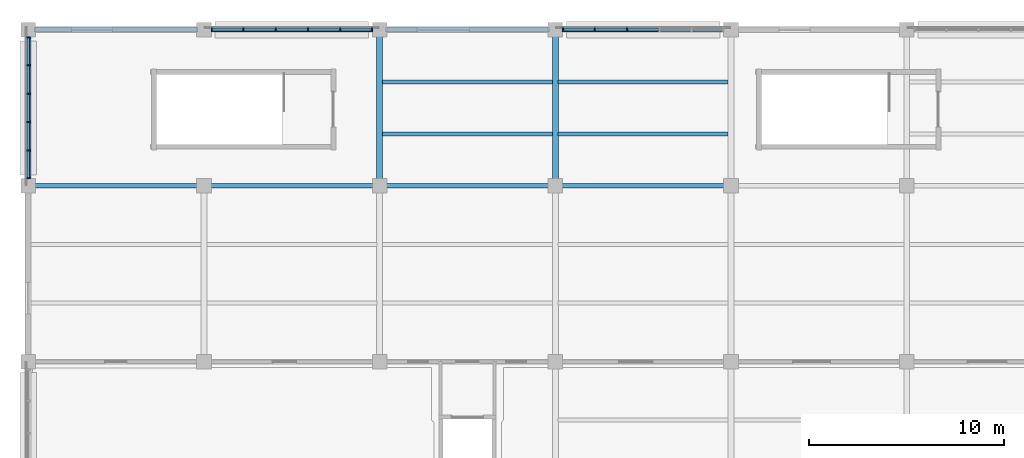
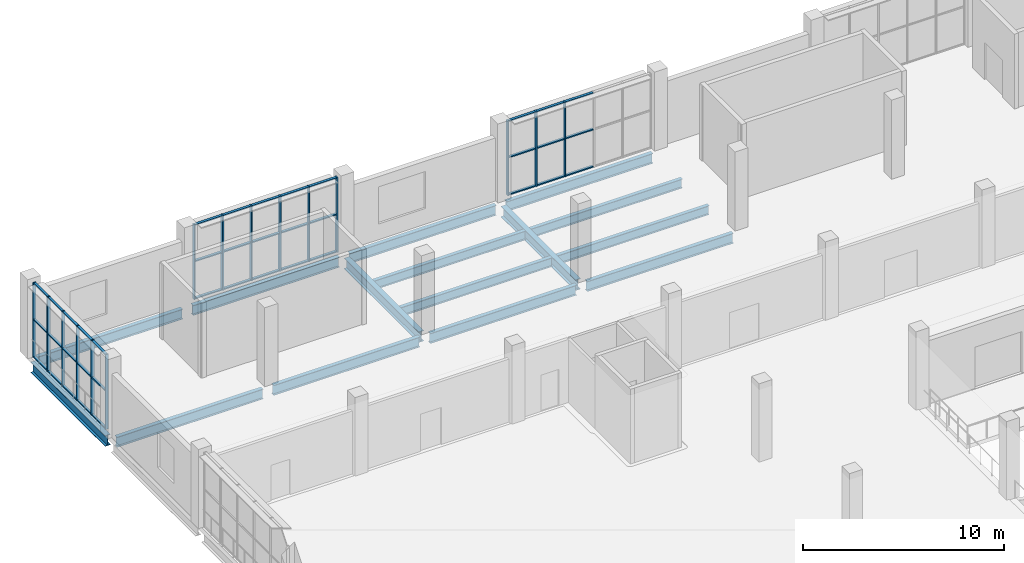
# One storey, part 52 of 152: 54 members, 15 beams, 3 elements without a shape of their own.
"""IFC4 building model written with IfcOpenShell, lengths in metres."""

from ifc_helpers import new_model, si_unit, direction, frame, origin, origin_2d, place, context, subcontext, project, spatial, rectangle, i_section, extrude, material, material_profile, profile_set, type_object, element, aggregate, save


model = new_model("IFC4")

# Units and contexts
model_context = context("Model", 3, precision=1e-05, world=origin(), true_north=direction((0.0, 1.0)))
body_context = subcontext(model_context, "Body", "Model", "MODEL_VIEW")
ifc_project = project(units=[si_unit("LENGTHUNIT", "METRE"), si_unit("AREAUNIT", "SQUARE_METRE"), si_unit("VOLUMEUNIT", "CUBIC_METRE"), si_unit("PLANEANGLEUNIT", "RADIAN"), si_unit("MASSUNIT", "GRAM", prefix="KILO")], contexts=[model_context])

# Site, building, storey
site_placement = place(None, origin())
site = spatial("IfcSite", under=ifc_project, at=site_placement, CompositionType="ELEMENT")
building_placement = place(site_placement, origin())
building = spatial("IfcBuilding", under=site, at=building_placement, Name="Zevraka Park Crest Stadium", CompositionType="ELEMENT")
storey_placement = place(building_placement, frame((0.0, 0.0, 15.0)))
storey = spatial("IfcBuildingStorey", under=building, at=storey_placement, Name="L03", CompositionType="ELEMENT", Elevation=15.0)

# Beams
ifc_material_1 = material(Name="Steel S355", Category="steel")
ifc_material_profile_1 = material_profile(ifc_material_1, i_section(OverallWidth=0.300048828125, OverallDepth=0.64990234375, WebThickness=0.01611328125, FlangeThickness=0.031005859375, at=origin_2d()), Name="HEB 650")
ifc_profile_set_1 = profile_set([ifc_material_profile_1], Name="Steel S355")
beam_type_1 = type_object("IfcBeamType", Name="BG07", PredefinedType="BEAM", material=ifc_profile_set_1)
for number, where, z_axis, x_axis, name in (
    (1, (0.0, 176.300048828125, -0.633056640625), (0.0, 1.0, 0.0), (-1.0, 0.0, 0.0), "Wing Girder BG07 L03-1/VW"),
    (2, (18.0, 176.300048828125, -0.633056640625), (0.0, 1.0, 0.0), (-1.0, 0.0, 0.0), "Wing Girder BG07 L03-3/VW"),
    (3, (27.0, 176.300048828125, -0.633056640625), (0.0, 1.0, 0.0), (-1.0, 0.0, 0.0), "Wing Girder BG07 L03-4/VW"),
):
    element("IfcBeam", number, at=place(storey_placement, frame(where, z_axis=z_axis, x_axis=x_axis)), inside=storey, type_object=beam_type_1, Name=name, PredefinedType="BEAM", context=body_context, shape_type="SweptSolid", body=[
        extrude(i_section(OverallWidth=0.300048828125, OverallDepth=0.64990234375, WebThickness=0.01611328125, FlangeThickness=0.031005859375, at=origin_2d()), origin(), (0.0, 0.0, 1.0), 7.39990234375),
    ])
ifc_material_2 = material(Name="Steel S355", Category="steel")
ifc_material_profile_2 = material_profile(ifc_material_2, i_section(OverallWidth=0.22900390625, OverallDepth=0.612060546875, WebThickness=0.011962890625, FlangeThickness=0.01953125, at=origin_2d()), Name="UKB 610x229x125")
ifc_profile_set_2 = profile_set([ifc_material_profile_2], Name="Steel S355")
beam_type_2 = type_object("IfcBeamType", Name="BG09", PredefinedType="BEAM", material=ifc_profile_set_2)
for number, where, z_axis, x_axis, name in (
    (4, (0.300048828125, 176.0, -0.614013671875), (1.0, 0.0, 0.0), (0.0, 1.0, 0.0), "Wing Girder BG09 L03-12/V"),
    (5, (0.300048828125, 184.0, -0.614013671875), (1.0, 0.0, 0.0), (0.0, 1.0, 0.0), "Wing Girder BG09 L03-12/W"),
    (6, (9.300048828125, 176.0, -0.614013671875), (1.0, 0.0, 0.0), (0.0, 1.0, 0.0), "Wing Girder BG09 L03-23/V"),
    (7, (9.300048828125, 184.0, -0.614013671875), (1.0, 0.0, 0.0), (0.0, 1.0, 0.0), "Wing Girder BG09 L03-23/W"),
    (8, (18.300048828125, 176.0, -0.614013671875), (1.0, 0.0, 0.0), (0.0, 1.0, 0.0), "Wing Girder BG09 L03-34/V"),
    (9, (18.300048828125, 184.0, -0.614013671875), (1.0, 0.0, 0.0), (0.0, 1.0, 0.0), "Wing Girder BG09 L03-34/W"),
    (10, (27.300048828125, 176.0, -0.614013671875), (1.0, 0.0, 0.0), (0.0, 1.0, 0.0), "Wing Girder BG09 L03-45/V"),
    (11, (27.300048828125, 184.0, -0.614013671875), (1.0, 0.0, 0.0), (0.0, 1.0, 0.0), "Wing Girder BG09 L03-45/W"),
):
    element("IfcBeam", number, at=place(storey_placement, frame(where, z_axis=z_axis, x_axis=x_axis)), inside=storey, type_object=beam_type_2, Name=name, PredefinedType="BEAM", context=body_context, shape_type="SweptSolid", body=[
        extrude(i_section(OverallWidth=0.22900390625, OverallDepth=0.612060546875, WebThickness=0.011962890625, FlangeThickness=0.01953125, at=origin_2d()), origin(), (0.0, 0.0, 1.0), 8.39990234375),
    ])

# Curtain wall, members
ifc_material_3 = material(Name="Anodised architectural aluminium and laminated safety glass", Category="aluminium")
curtain_wall_type_1 = type_object("IfcCurtainWallType", Name="CW26", PredefinedType="NOTDEFINED", material=ifc_material_3)
curtain_wall_1_placement = place(storey_placement, origin())
curtain_wall_1 = element("IfcCurtainWall", 12, at=curtain_wall_1_placement, inside=storey, type_object=curtain_wall_type_1, Name="Wing Curtain Wall CW26 L03-NW-W-8", PredefinedType="NOTDEFINED")
ifc_material_4 = material(Name="Anodised architectural aluminium", Category="aluminium")
ifc_material_profile_3 = material_profile(ifc_material_4, rectangle(XDim=0.179931640625, YDim=0.06494140625, at=origin_2d()), Name="ALU MULLION 180x65")
ifc_profile_set_3 = profile_set([ifc_material_profile_3], Name="Anodised architectural aluminium")
member_type_1 = type_object("IfcMemberType", Name="CM02", PredefinedType="MULLION", material=ifc_profile_set_3)
member_1_placement = place(storey_placement, frame((0.0, 176.3974609375, 0.0), z_axis=(0.0, 0.0, 1.0), x_axis=(-1.0, 0.0, 0.0)))
member_1 = element("IfcMember", 13, at=member_1_placement, type_object=member_type_1, Name="CW26 mullion 1", PredefinedType="MULLION", context=body_context, shape_type="SweptSolid", body=[
    extrude(rectangle(XDim=0.179931640625, YDim=0.06494140625, at=origin_2d()), origin(), (0.0, 0.0, 1.0), 4.5400390625),
])
member_2_placement = place(storey_placement, frame((0.0, 177.819091796875, 0.0), z_axis=(0.0, 0.0, 1.0), x_axis=(-1.0, 0.0, 0.0)))
member_2 = element("IfcMember", 14, at=member_2_placement, type_object=member_type_1, Name="CW26 mullion 2", PredefinedType="MULLION", context=body_context, shape_type="SweptSolid", body=[
    extrude(rectangle(XDim=0.179931640625, YDim=0.06494140625, at=origin_2d()), origin(), (0.0, 0.0, 1.0), 4.5400390625),
])
member_3_placement = place(storey_placement, frame((0.0, 179.27294921875, 0.0), z_axis=(0.0, 0.0, 1.0), x_axis=(-1.0, 0.0, 0.0)))
member_3 = element("IfcMember", 15, at=member_3_placement, type_object=member_type_1, Name="CW26 mullion 3", PredefinedType="MULLION", context=body_context, shape_type="SweptSolid", body=[
    extrude(rectangle(XDim=0.179931640625, YDim=0.06494140625, at=origin_2d()), origin(), (0.0, 0.0, 1.0), 4.5400390625),
])
member_4_placement = place(storey_placement, frame((0.0, 180.72705078125, 0.0), z_axis=(0.0, 0.0, 1.0), x_axis=(-1.0, 0.0, 0.0)))
member_4 = element("IfcMember", 16, at=member_4_placement, type_object=member_type_1, Name="CW26 mullion 4", PredefinedType="MULLION", context=body_context, shape_type="SweptSolid", body=[
    extrude(rectangle(XDim=0.179931640625, YDim=0.06494140625, at=origin_2d()), origin(), (0.0, 0.0, 1.0), 4.5400390625),
])
member_5_placement = place(storey_placement, frame((0.0, 182.180908203125, 0.0), z_axis=(0.0, 0.0, 1.0), x_axis=(-1.0, 0.0, 0.0)))
member_5 = element("IfcMember", 17, at=member_5_placement, type_object=member_type_1, Name="CW26 mullion 5", PredefinedType="MULLION", context=body_context, shape_type="SweptSolid", body=[
    extrude(rectangle(XDim=0.179931640625, YDim=0.06494140625, at=origin_2d()), origin(), (0.0, 0.0, 1.0), 4.5400390625),
])
member_6_placement = place(storey_placement, frame((0.0, 183.6025390625, 0.0), z_axis=(0.0, 0.0, 1.0), x_axis=(-1.0, 0.0, 0.0)))
member_6 = element("IfcMember", 18, at=member_6_placement, type_object=member_type_1, Name="CW26 mullion 6", PredefinedType="MULLION", context=body_context, shape_type="SweptSolid", body=[
    extrude(rectangle(XDim=0.179931640625, YDim=0.06494140625, at=origin_2d()), origin(), (0.0, 0.0, 1.0), 4.5400390625),
])

ifc_material_5 = material(Name="Anodised architectural aluminium and laminated safety glass", Category="aluminium")
curtain_wall_type_2 = type_object("IfcCurtainWallType", Name="CW30", PredefinedType="NOTDEFINED", material=ifc_material_5)
curtain_wall_2_placement = place(storey_placement, origin())
curtain_wall_2 = element("IfcCurtainWall", 19, at=curtain_wall_2_placement, inside=storey, type_object=curtain_wall_type_2, Name="Wing Curtain Wall CW30 L03-NW-N2-2", PredefinedType="NOTDEFINED")
ifc_material_6 = material(Name="Anodised architectural aluminium", Category="aluminium")
ifc_material_profile_4 = material_profile(ifc_material_6, rectangle(XDim=0.199951171875, YDim=0.070068359375, at=origin_2d()), Name="ALU MULLION 200x70")
ifc_profile_set_4 = profile_set([ifc_material_profile_4], Name="Anodised architectural aluminium")
member_type_2 = type_object("IfcMemberType", Name="CM03", PredefinedType="MULLION", material=ifc_profile_set_4)
member_7_placement = place(storey_placement, frame((9.39990234375, 184.0, 0.0), z_axis=(0.0, 0.0, 1.0), x_axis=(0.0, 1.0, 0.0)))
member_7 = element("IfcMember", 20, at=member_7_placement, type_object=member_type_2, Name="CW30 mullion 1", PredefinedType="MULLION", context=body_context, shape_type="SweptSolid", body=[
    extrude(rectangle(XDim=0.199951171875, YDim=0.070068359375, at=origin_2d()), origin(), (0.0, 0.0, 1.0), 4.5400390625),
])
member_8_placement = place(storey_placement, frame((11.01904296875, 184.0, 0.0), z_axis=(0.0, 0.0, 1.0), x_axis=(0.0, 1.0, 0.0)))
member_8 = element("IfcMember", 21, at=member_8_placement, type_object=member_type_2, Name="CW30 mullion 2", PredefinedType="MULLION", context=body_context, shape_type="SweptSolid", body=[
    extrude(rectangle(XDim=0.199951171875, YDim=0.070068359375, at=origin_2d()), origin(), (0.0, 0.0, 1.0), 4.5400390625),
])
member_9_placement = place(storey_placement, frame((12.673095703125, 184.0, 0.0), z_axis=(0.0, 0.0, 1.0), x_axis=(0.0, 1.0, 0.0)))
member_9 = element("IfcMember", 22, at=member_9_placement, type_object=member_type_2, Name="CW30 mullion 3", PredefinedType="MULLION", context=body_context, shape_type="SweptSolid", body=[
    extrude(rectangle(XDim=0.199951171875, YDim=0.070068359375, at=origin_2d()), origin(), (0.0, 0.0, 1.0), 4.5400390625),
])
member_10_placement = place(storey_placement, frame((14.326904296875, 184.0, 0.0), z_axis=(0.0, 0.0, 1.0), x_axis=(0.0, 1.0, 0.0)))
member_10 = element("IfcMember", 23, at=member_10_placement, type_object=member_type_2, Name="CW30 mullion 4", PredefinedType="MULLION", context=body_context, shape_type="SweptSolid", body=[
    extrude(rectangle(XDim=0.199951171875, YDim=0.070068359375, at=origin_2d()), origin(), (0.0, 0.0, 1.0), 4.5400390625),
])
member_11_placement = place(storey_placement, frame((15.98095703125, 184.0, 0.0), z_axis=(0.0, 0.0, 1.0), x_axis=(0.0, 1.0, 0.0)))
member_11 = element("IfcMember", 24, at=member_11_placement, type_object=member_type_2, Name="CW30 mullion 5", PredefinedType="MULLION", context=body_context, shape_type="SweptSolid", body=[
    extrude(rectangle(XDim=0.199951171875, YDim=0.070068359375, at=origin_2d()), origin(), (0.0, 0.0, 1.0), 4.5400390625),
])
member_12_placement = place(storey_placement, frame((17.60009765625, 184.0, 0.0), z_axis=(0.0, 0.0, 1.0), x_axis=(0.0, 1.0, 0.0)))
member_12 = element("IfcMember", 25, at=member_12_placement, type_object=member_type_2, Name="CW30 mullion 6", PredefinedType="MULLION", context=body_context, shape_type="SweptSolid", body=[
    extrude(rectangle(XDim=0.199951171875, YDim=0.070068359375, at=origin_2d()), origin(), (0.0, 0.0, 1.0), 4.5400390625),
])

ifc_material_7 = material(Name="Anodised architectural aluminium and laminated safety glass", Category="aluminium")
curtain_wall_type_3 = type_object("IfcCurtainWallType", Name="CW27", PredefinedType="NOTDEFINED", material=ifc_material_7)
curtain_wall_3_placement = place(storey_placement, origin())
curtain_wall_3 = element("IfcCurtainWall", 26, at=curtain_wall_3_placement, inside=storey, type_object=curtain_wall_type_3, Name="Wing Curtain Wall CW27 L03-NW-N2-4", PredefinedType="NOTDEFINED")
member_13_placement = place(storey_placement, frame((27.39990234375, 184.0, 0.0), z_axis=(0.0, 0.0, 1.0), x_axis=(0.0, 1.0, 0.0)))
member_13 = element("IfcMember", 27, at=member_13_placement, type_object=member_type_2, Name="CW27 mullion 1", PredefinedType="MULLION", context=body_context, shape_type="SweptSolid", body=[
    extrude(rectangle(XDim=0.199951171875, YDim=0.070068359375, at=origin_2d()), origin(), (0.0, 0.0, 1.0), 4.5400390625),
])
member_14_placement = place(storey_placement, frame((29.01904296875, 184.0, 0.0), z_axis=(0.0, 0.0, 1.0), x_axis=(0.0, 1.0, 0.0)))
member_14 = element("IfcMember", 28, at=member_14_placement, type_object=member_type_2, Name="CW27 mullion 2", PredefinedType="MULLION", context=body_context, shape_type="SweptSolid", body=[
    extrude(rectangle(XDim=0.199951171875, YDim=0.070068359375, at=origin_2d()), origin(), (0.0, 0.0, 1.0), 4.5400390625),
])
member_15_placement = place(storey_placement, frame((30.673095703125, 184.0, 0.0), z_axis=(0.0, 0.0, 1.0), x_axis=(0.0, 1.0, 0.0)))
member_15 = element("IfcMember", 29, at=member_15_placement, type_object=member_type_2, Name="CW27 mullion 3", PredefinedType="MULLION", context=body_context, shape_type="SweptSolid", body=[
    extrude(rectangle(XDim=0.199951171875, YDim=0.070068359375, at=origin_2d()), origin(), (0.0, 0.0, 1.0), 4.5400390625),
])

# Member
ifc_material_8 = material(Name="Anodised architectural aluminium", Category="aluminium")
ifc_material_profile_5 = material_profile(ifc_material_8, rectangle(XDim=0.139892578125, YDim=0.06494140625, at=origin_2d()), Name="ALU TRANSOM 140x65")
ifc_profile_set_5 = profile_set([ifc_material_profile_5], Name="Anodised architectural aluminium")
member_type_3 = type_object("IfcMemberType", Name="CT02", PredefinedType="USERDEFINED", material=ifc_profile_set_5)
member_16_placement = place(storey_placement, frame((0.0, 176.429931640625, 0.032470703125), z_axis=(0.0, 1.0, 0.0), x_axis=(-1.0, 0.0, 0.0)))
member_16 = element("IfcMember", 30, at=member_16_placement, type_object=member_type_3, Name="CW26 transom 1.1", ObjectType="TRANSOM", PredefinedType="USERDEFINED", context=body_context, shape_type="SweptSolid", body=[
    extrude(rectangle(XDim=0.139892578125, YDim=0.06494140625, at=origin_2d()), origin(), (0.0, 0.0, 1.0), 1.356689453125),
])

member_17_placement = place(storey_placement, frame((0.0, 176.429931640625, 2.300048828125), z_axis=(0.0, 1.0, 0.0), x_axis=(-1.0, 0.0, 0.0)))
member_17 = element("IfcMember", 31, at=member_17_placement, type_object=member_type_3, Name="CW26 transom 1.2", ObjectType="TRANSOM", PredefinedType="USERDEFINED", context=body_context, shape_type="SweptSolid", body=[
    extrude(rectangle(XDim=0.139892578125, YDim=0.06494140625, at=origin_2d()), origin(), (0.0, 0.0, 1.0), 1.356689453125),
])

member_18_placement = place(storey_placement, frame((0.0, 176.429931640625, 4.507568359375), z_axis=(0.0, 1.0, 0.0), x_axis=(-1.0, 0.0, 0.0)))
member_18 = element("IfcMember", 32, at=member_18_placement, type_object=member_type_3, Name="CW26 transom 1.3", ObjectType="TRANSOM", PredefinedType="USERDEFINED", context=body_context, shape_type="SweptSolid", body=[
    extrude(rectangle(XDim=0.139892578125, YDim=0.06494140625, at=origin_2d()), origin(), (0.0, 0.0, 1.0), 1.356689453125),
])

member_19_placement = place(storey_placement, frame((0.0, 177.8515625, 0.032470703125), z_axis=(0.0, 1.0, 0.0), x_axis=(-1.0, 0.0, 0.0)))
member_19 = element("IfcMember", 33, at=member_19_placement, type_object=member_type_3, Name="CW26 transom 2.1", ObjectType="TRANSOM", PredefinedType="USERDEFINED", context=body_context, shape_type="SweptSolid", body=[
    extrude(rectangle(XDim=0.139892578125, YDim=0.06494140625, at=origin_2d()), origin(), (0.0, 0.0, 1.0), 1.388916015625),
])

member_20_placement = place(storey_placement, frame((0.0, 177.8515625, 2.300048828125), z_axis=(0.0, 1.0, 0.0), x_axis=(-1.0, 0.0, 0.0)))
member_20 = element("IfcMember", 34, at=member_20_placement, type_object=member_type_3, Name="CW26 transom 2.2", ObjectType="TRANSOM", PredefinedType="USERDEFINED", context=body_context, shape_type="SweptSolid", body=[
    extrude(rectangle(XDim=0.139892578125, YDim=0.06494140625, at=origin_2d()), origin(), (0.0, 0.0, 1.0), 1.388916015625),
])

member_21_placement = place(storey_placement, frame((0.0, 177.8515625, 4.507568359375), z_axis=(0.0, 1.0, 0.0), x_axis=(-1.0, 0.0, 0.0)))
member_21 = element("IfcMember", 35, at=member_21_placement, type_object=member_type_3, Name="CW26 transom 2.3", ObjectType="TRANSOM", PredefinedType="USERDEFINED", context=body_context, shape_type="SweptSolid", body=[
    extrude(rectangle(XDim=0.139892578125, YDim=0.06494140625, at=origin_2d()), origin(), (0.0, 0.0, 1.0), 1.388916015625),
])

member_22_placement = place(storey_placement, frame((0.0, 179.305419921875, 0.032470703125), z_axis=(0.0, 1.0, 0.0), x_axis=(-1.0, 0.0, 0.0)))
member_22 = element("IfcMember", 36, at=member_22_placement, type_object=member_type_3, Name="CW26 transom 3.1", ObjectType="TRANSOM", PredefinedType="USERDEFINED", context=body_context, shape_type="SweptSolid", body=[
    extrude(rectangle(XDim=0.139892578125, YDim=0.06494140625, at=origin_2d()), origin(), (0.0, 0.0, 1.0), 1.38916015625),
])

member_23_placement = place(storey_placement, frame((0.0, 179.305419921875, 2.300048828125), z_axis=(0.0, 1.0, 0.0), x_axis=(-1.0, 0.0, 0.0)))
member_23 = element("IfcMember", 37, at=member_23_placement, type_object=member_type_3, Name="CW26 transom 3.2", ObjectType="TRANSOM", PredefinedType="USERDEFINED", context=body_context, shape_type="SweptSolid", body=[
    extrude(rectangle(XDim=0.139892578125, YDim=0.06494140625, at=origin_2d()), origin(), (0.0, 0.0, 1.0), 1.38916015625),
])

member_24_placement = place(storey_placement, frame((0.0, 179.305419921875, 4.507568359375), z_axis=(0.0, 1.0, 0.0), x_axis=(-1.0, 0.0, 0.0)))
member_24 = element("IfcMember", 38, at=member_24_placement, type_object=member_type_3, Name="CW26 transom 3.3", ObjectType="TRANSOM", PredefinedType="USERDEFINED", context=body_context, shape_type="SweptSolid", body=[
    extrude(rectangle(XDim=0.139892578125, YDim=0.06494140625, at=origin_2d()), origin(), (0.0, 0.0, 1.0), 1.38916015625),
])

member_25_placement = place(storey_placement, frame((0.0, 180.759521484375, 0.032470703125), z_axis=(0.0, 1.0, 0.0), x_axis=(-1.0, 0.0, 0.0)))
member_25 = element("IfcMember", 39, at=member_25_placement, type_object=member_type_3, Name="CW26 transom 4.1", ObjectType="TRANSOM", PredefinedType="USERDEFINED", context=body_context, shape_type="SweptSolid", body=[
    extrude(rectangle(XDim=0.139892578125, YDim=0.06494140625, at=origin_2d()), origin(), (0.0, 0.0, 1.0), 1.388916015625),
])

member_26_placement = place(storey_placement, frame((0.0, 180.759521484375, 2.300048828125), z_axis=(0.0, 1.0, 0.0), x_axis=(-1.0, 0.0, 0.0)))
member_26 = element("IfcMember", 40, at=member_26_placement, type_object=member_type_3, Name="CW26 transom 4.2", ObjectType="TRANSOM", PredefinedType="USERDEFINED", context=body_context, shape_type="SweptSolid", body=[
    extrude(rectangle(XDim=0.139892578125, YDim=0.06494140625, at=origin_2d()), origin(), (0.0, 0.0, 1.0), 1.388916015625),
])

member_27_placement = place(storey_placement, frame((0.0, 180.759521484375, 4.507568359375), z_axis=(0.0, 1.0, 0.0), x_axis=(-1.0, 0.0, 0.0)))
member_27 = element("IfcMember", 41, at=member_27_placement, type_object=member_type_3, Name="CW26 transom 4.3", ObjectType="TRANSOM", PredefinedType="USERDEFINED", context=body_context, shape_type="SweptSolid", body=[
    extrude(rectangle(XDim=0.139892578125, YDim=0.06494140625, at=origin_2d()), origin(), (0.0, 0.0, 1.0), 1.388916015625),
])

member_28_placement = place(storey_placement, frame((0.0, 182.21337890625, 0.032470703125), z_axis=(0.0, 1.0, 0.0), x_axis=(-1.0, 0.0, 0.0)))
member_28 = element("IfcMember", 42, at=member_28_placement, type_object=member_type_3, Name="CW26 transom 5.1", ObjectType="TRANSOM", PredefinedType="USERDEFINED", context=body_context, shape_type="SweptSolid", body=[
    extrude(rectangle(XDim=0.139892578125, YDim=0.06494140625, at=origin_2d()), origin(), (0.0, 0.0, 1.0), 1.356689453125),
])

member_29_placement = place(storey_placement, frame((0.0, 182.21337890625, 2.300048828125), z_axis=(0.0, 1.0, 0.0), x_axis=(-1.0, 0.0, 0.0)))
member_29 = element("IfcMember", 43, at=member_29_placement, type_object=member_type_3, Name="CW26 transom 5.2", ObjectType="TRANSOM", PredefinedType="USERDEFINED", context=body_context, shape_type="SweptSolid", body=[
    extrude(rectangle(XDim=0.139892578125, YDim=0.06494140625, at=origin_2d()), origin(), (0.0, 0.0, 1.0), 1.356689453125),
])

member_30_placement = place(storey_placement, frame((0.0, 182.21337890625, 4.507568359375), z_axis=(0.0, 1.0, 0.0), x_axis=(-1.0, 0.0, 0.0)))
member_30 = element("IfcMember", 44, at=member_30_placement, type_object=member_type_3, Name="CW26 transom 5.3", ObjectType="TRANSOM", PredefinedType="USERDEFINED", context=body_context, shape_type="SweptSolid", body=[
    extrude(rectangle(XDim=0.139892578125, YDim=0.06494140625, at=origin_2d()), origin(), (0.0, 0.0, 1.0), 1.356689453125),
])

aggregate(curtain_wall_1, [member_1, member_2, member_3, member_4, member_5, member_6, member_16, member_17, member_18, member_19, member_20, member_21, member_22, member_23, member_24, member_25, member_26, member_27, member_28, member_29, member_30])

ifc_material_9 = material(Name="Anodised architectural aluminium", Category="aluminium")
ifc_material_profile_6 = material_profile(ifc_material_9, rectangle(XDim=0.14990234375, YDim=0.070068359375, at=origin_2d()), Name="ALU TRANSOM 150x70")
ifc_profile_set_6 = profile_set([ifc_material_profile_6], Name="Anodised architectural aluminium")
member_type_4 = type_object("IfcMemberType", Name="CT03", PredefinedType="USERDEFINED", material=ifc_profile_set_6)
member_31_placement = place(storey_placement, frame((9.43505859375, 184.0, 0.034912109375), z_axis=(1.0, 0.0, 0.0), x_axis=(0.0, 1.0, 0.0)))
member_31 = element("IfcMember", 45, at=member_31_placement, type_object=member_type_4, Name="CW30 transom 1.1", ObjectType="TRANSOM", PredefinedType="USERDEFINED", context=body_context, shape_type="SweptSolid", body=[
    extrude(rectangle(XDim=0.14990234375, YDim=0.070068359375, at=origin_2d()), origin(), (0.0, 0.0, 1.0), 1.548828125),
])

member_32_placement = place(storey_placement, frame((9.43505859375, 184.0, 2.300048828125), z_axis=(1.0, 0.0, 0.0), x_axis=(0.0, 1.0, 0.0)))
member_32 = element("IfcMember", 46, at=member_32_placement, type_object=member_type_4, Name="CW30 transom 1.2", ObjectType="TRANSOM", PredefinedType="USERDEFINED", context=body_context, shape_type="SweptSolid", body=[
    extrude(rectangle(XDim=0.14990234375, YDim=0.070068359375, at=origin_2d()), origin(), (0.0, 0.0, 1.0), 1.548828125),
])

member_33_placement = place(storey_placement, frame((9.43505859375, 184.0, 4.5048828125), z_axis=(1.0, 0.0, 0.0), x_axis=(0.0, 1.0, 0.0)))
member_33 = element("IfcMember", 47, at=member_33_placement, type_object=member_type_4, Name="CW30 transom 1.3", ObjectType="TRANSOM", PredefinedType="USERDEFINED", context=body_context, shape_type="SweptSolid", body=[
    extrude(rectangle(XDim=0.14990234375, YDim=0.070068359375, at=origin_2d()), origin(), (0.0, 0.0, 1.0), 1.548828125),
])

member_34_placement = place(storey_placement, frame((11.053955078125, 184.0, 0.034912109375), z_axis=(1.0, 0.0, 0.0), x_axis=(0.0, 1.0, 0.0)))
member_34 = element("IfcMember", 48, at=member_34_placement, type_object=member_type_4, Name="CW30 transom 2.1", ObjectType="TRANSOM", PredefinedType="USERDEFINED", context=body_context, shape_type="SweptSolid", body=[
    extrude(rectangle(XDim=0.14990234375, YDim=0.070068359375, at=origin_2d()), origin(), (0.0, 0.0, 1.0), 1.583984375),
])

member_35_placement = place(storey_placement, frame((11.053955078125, 184.0, 2.300048828125), z_axis=(1.0, 0.0, 0.0), x_axis=(0.0, 1.0, 0.0)))
member_35 = element("IfcMember", 49, at=member_35_placement, type_object=member_type_4, Name="CW30 transom 2.2", ObjectType="TRANSOM", PredefinedType="USERDEFINED", context=body_context, shape_type="SweptSolid", body=[
    extrude(rectangle(XDim=0.14990234375, YDim=0.070068359375, at=origin_2d()), origin(), (0.0, 0.0, 1.0), 1.583984375),
])

member_36_placement = place(storey_placement, frame((11.053955078125, 184.0, 4.5048828125), z_axis=(1.0, 0.0, 0.0), x_axis=(0.0, 1.0, 0.0)))
member_36 = element("IfcMember", 50, at=member_36_placement, type_object=member_type_4, Name="CW30 transom 2.3", ObjectType="TRANSOM", PredefinedType="USERDEFINED", context=body_context, shape_type="SweptSolid", body=[
    extrude(rectangle(XDim=0.14990234375, YDim=0.070068359375, at=origin_2d()), origin(), (0.0, 0.0, 1.0), 1.583984375),
])

member_37_placement = place(storey_placement, frame((12.7080078125, 184.0, 0.034912109375), z_axis=(1.0, 0.0, 0.0), x_axis=(0.0, 1.0, 0.0)))
member_37 = element("IfcMember", 51, at=member_37_placement, type_object=member_type_4, Name="CW30 transom 3.1", ObjectType="TRANSOM", PredefinedType="USERDEFINED", context=body_context, shape_type="SweptSolid", body=[
    extrude(rectangle(XDim=0.14990234375, YDim=0.070068359375, at=origin_2d()), origin(), (0.0, 0.0, 1.0), 1.583984375),
])

member_38_placement = place(storey_placement, frame((12.7080078125, 184.0, 2.300048828125), z_axis=(1.0, 0.0, 0.0), x_axis=(0.0, 1.0, 0.0)))
member_38 = element("IfcMember", 52, at=member_38_placement, type_object=member_type_4, Name="CW30 transom 3.2", ObjectType="TRANSOM", PredefinedType="USERDEFINED", context=body_context, shape_type="SweptSolid", body=[
    extrude(rectangle(XDim=0.14990234375, YDim=0.070068359375, at=origin_2d()), origin(), (0.0, 0.0, 1.0), 1.583984375),
])

member_39_placement = place(storey_placement, frame((12.7080078125, 184.0, 4.5048828125), z_axis=(1.0, 0.0, 0.0), x_axis=(0.0, 1.0, 0.0)))
member_39 = element("IfcMember", 53, at=member_39_placement, type_object=member_type_4, Name="CW30 transom 3.3", ObjectType="TRANSOM", PredefinedType="USERDEFINED", context=body_context, shape_type="SweptSolid", body=[
    extrude(rectangle(XDim=0.14990234375, YDim=0.070068359375, at=origin_2d()), origin(), (0.0, 0.0, 1.0), 1.583984375),
])

member_40_placement = place(storey_placement, frame((14.362060546875, 184.0, 0.034912109375), z_axis=(1.0, 0.0, 0.0), x_axis=(0.0, 1.0, 0.0)))
member_40 = element("IfcMember", 54, at=member_40_placement, type_object=member_type_4, Name="CW30 transom 4.1", ObjectType="TRANSOM", PredefinedType="USERDEFINED", context=body_context, shape_type="SweptSolid", body=[
    extrude(rectangle(XDim=0.14990234375, YDim=0.070068359375, at=origin_2d()), origin(), (0.0, 0.0, 1.0), 1.583984375),
])

member_41_placement = place(storey_placement, frame((14.362060546875, 184.0, 2.300048828125), z_axis=(1.0, 0.0, 0.0), x_axis=(0.0, 1.0, 0.0)))
member_41 = element("IfcMember", 55, at=member_41_placement, type_object=member_type_4, Name="CW30 transom 4.2", ObjectType="TRANSOM", PredefinedType="USERDEFINED", context=body_context, shape_type="SweptSolid", body=[
    extrude(rectangle(XDim=0.14990234375, YDim=0.070068359375, at=origin_2d()), origin(), (0.0, 0.0, 1.0), 1.583984375),
])

member_42_placement = place(storey_placement, frame((14.362060546875, 184.0, 4.5048828125), z_axis=(1.0, 0.0, 0.0), x_axis=(0.0, 1.0, 0.0)))
member_42 = element("IfcMember", 56, at=member_42_placement, type_object=member_type_4, Name="CW30 transom 4.3", ObjectType="TRANSOM", PredefinedType="USERDEFINED", context=body_context, shape_type="SweptSolid", body=[
    extrude(rectangle(XDim=0.14990234375, YDim=0.070068359375, at=origin_2d()), origin(), (0.0, 0.0, 1.0), 1.583984375),
])

member_43_placement = place(storey_placement, frame((16.01611328125, 184.0, 0.034912109375), z_axis=(1.0, 0.0, 0.0), x_axis=(0.0, 1.0, 0.0)))
member_43 = element("IfcMember", 57, at=member_43_placement, type_object=member_type_4, Name="CW30 transom 5.1", ObjectType="TRANSOM", PredefinedType="USERDEFINED", context=body_context, shape_type="SweptSolid", body=[
    extrude(rectangle(XDim=0.14990234375, YDim=0.070068359375, at=origin_2d()), origin(), (0.0, 0.0, 1.0), 1.548828125),
])

member_44_placement = place(storey_placement, frame((16.01611328125, 184.0, 2.300048828125), z_axis=(1.0, 0.0, 0.0), x_axis=(0.0, 1.0, 0.0)))
member_44 = element("IfcMember", 58, at=member_44_placement, type_object=member_type_4, Name="CW30 transom 5.2", ObjectType="TRANSOM", PredefinedType="USERDEFINED", context=body_context, shape_type="SweptSolid", body=[
    extrude(rectangle(XDim=0.14990234375, YDim=0.070068359375, at=origin_2d()), origin(), (0.0, 0.0, 1.0), 1.548828125),
])

member_45_placement = place(storey_placement, frame((16.01611328125, 184.0, 4.5048828125), z_axis=(1.0, 0.0, 0.0), x_axis=(0.0, 1.0, 0.0)))
member_45 = element("IfcMember", 59, at=member_45_placement, type_object=member_type_4, Name="CW30 transom 5.3", ObjectType="TRANSOM", PredefinedType="USERDEFINED", context=body_context, shape_type="SweptSolid", body=[
    extrude(rectangle(XDim=0.14990234375, YDim=0.070068359375, at=origin_2d()), origin(), (0.0, 0.0, 1.0), 1.548828125),
])

aggregate(curtain_wall_2, [member_7, member_8, member_9, member_10, member_11, member_12, member_31, member_32, member_33, member_34, member_35, member_36, member_37, member_38, member_39, member_40, member_41, member_42, member_43, member_44, member_45])

member_46_placement = place(storey_placement, frame((27.43505859375, 184.0, 0.034912109375), z_axis=(1.0, 0.0, 0.0), x_axis=(0.0, 1.0, 0.0)))
member_46 = element("IfcMember", 60, at=member_46_placement, type_object=member_type_4, Name="CW27 transom 1.1", ObjectType="TRANSOM", PredefinedType="USERDEFINED", context=body_context, shape_type="SweptSolid", body=[
    extrude(rectangle(XDim=0.14990234375, YDim=0.070068359375, at=origin_2d()), origin(), (0.0, 0.0, 1.0), 1.548828125),
])

member_47_placement = place(storey_placement, frame((27.43505859375, 184.0, 2.300048828125), z_axis=(1.0, 0.0, 0.0), x_axis=(0.0, 1.0, 0.0)))
member_47 = element("IfcMember", 61, at=member_47_placement, type_object=member_type_4, Name="CW27 transom 1.2", ObjectType="TRANSOM", PredefinedType="USERDEFINED", context=body_context, shape_type="SweptSolid", body=[
    extrude(rectangle(XDim=0.14990234375, YDim=0.070068359375, at=origin_2d()), origin(), (0.0, 0.0, 1.0), 1.548828125),
])

member_48_placement = place(storey_placement, frame((27.43505859375, 184.0, 4.5048828125), z_axis=(1.0, 0.0, 0.0), x_axis=(0.0, 1.0, 0.0)))
member_48 = element("IfcMember", 62, at=member_48_placement, type_object=member_type_4, Name="CW27 transom 1.3", ObjectType="TRANSOM", PredefinedType="USERDEFINED", context=body_context, shape_type="SweptSolid", body=[
    extrude(rectangle(XDim=0.14990234375, YDim=0.070068359375, at=origin_2d()), origin(), (0.0, 0.0, 1.0), 1.548828125),
])

member_49_placement = place(storey_placement, frame((29.053955078125, 184.0, 0.034912109375), z_axis=(1.0, 0.0, 0.0), x_axis=(0.0, 1.0, 0.0)))
member_49 = element("IfcMember", 63, at=member_49_placement, type_object=member_type_4, Name="CW27 transom 2.1", ObjectType="TRANSOM", PredefinedType="USERDEFINED", context=body_context, shape_type="SweptSolid", body=[
    extrude(rectangle(XDim=0.14990234375, YDim=0.070068359375, at=origin_2d()), origin(), (0.0, 0.0, 1.0), 1.583984375),
])

member_50_placement = place(storey_placement, frame((29.053955078125, 184.0, 2.300048828125), z_axis=(1.0, 0.0, 0.0), x_axis=(0.0, 1.0, 0.0)))
member_50 = element("IfcMember", 64, at=member_50_placement, type_object=member_type_4, Name="CW27 transom 2.2", ObjectType="TRANSOM", PredefinedType="USERDEFINED", context=body_context, shape_type="SweptSolid", body=[
    extrude(rectangle(XDim=0.14990234375, YDim=0.070068359375, at=origin_2d()), origin(), (0.0, 0.0, 1.0), 1.583984375),
])

member_51_placement = place(storey_placement, frame((29.053955078125, 184.0, 4.5048828125), z_axis=(1.0, 0.0, 0.0), x_axis=(0.0, 1.0, 0.0)))
member_51 = element("IfcMember", 65, at=member_51_placement, type_object=member_type_4, Name="CW27 transom 2.3", ObjectType="TRANSOM", PredefinedType="USERDEFINED", context=body_context, shape_type="SweptSolid", body=[
    extrude(rectangle(XDim=0.14990234375, YDim=0.070068359375, at=origin_2d()), origin(), (0.0, 0.0, 1.0), 1.583984375),
])

member_52_placement = place(storey_placement, frame((30.7080078125, 184.0, 0.034912109375), z_axis=(1.0, 0.0, 0.0), x_axis=(0.0, 1.0, 0.0)))
member_52 = element("IfcMember", 66, at=member_52_placement, type_object=member_type_4, Name="CW27 transom 3.1", ObjectType="TRANSOM", PredefinedType="USERDEFINED", context=body_context, shape_type="SweptSolid", body=[
    extrude(rectangle(XDim=0.14990234375, YDim=0.070068359375, at=origin_2d()), origin(), (0.0, 0.0, 1.0), 1.583984375),
])

member_53_placement = place(storey_placement, frame((30.7080078125, 184.0, 2.300048828125), z_axis=(1.0, 0.0, 0.0), x_axis=(0.0, 1.0, 0.0)))
member_53 = element("IfcMember", 67, at=member_53_placement, type_object=member_type_4, Name="CW27 transom 3.2", ObjectType="TRANSOM", PredefinedType="USERDEFINED", context=body_context, shape_type="SweptSolid", body=[
    extrude(rectangle(XDim=0.14990234375, YDim=0.070068359375, at=origin_2d()), origin(), (0.0, 0.0, 1.0), 1.583984375),
])

member_54_placement = place(storey_placement, frame((30.7080078125, 184.0, 4.5048828125), z_axis=(1.0, 0.0, 0.0), x_axis=(0.0, 1.0, 0.0)))
member_54 = element("IfcMember", 68, at=member_54_placement, type_object=member_type_4, Name="CW27 transom 3.3", ObjectType="TRANSOM", PredefinedType="USERDEFINED", context=body_context, shape_type="SweptSolid", body=[
    extrude(rectangle(XDim=0.14990234375, YDim=0.070068359375, at=origin_2d()), origin(), (0.0, 0.0, 1.0), 1.583984375),
])

aggregate(curtain_wall_3, [member_13, member_14, member_15, member_46, member_47, member_48, member_49, member_50, member_51, member_52, member_53, member_54])

# Beams
ifc_material_10 = material(Name="Steel S355", Category="steel")
ifc_material_profile_7 = material_profile(ifc_material_10, i_section(OverallWidth=0.2099609375, OverallDepth=0.550048828125, WebThickness=0.010986328125, FlangeThickness=0.01708984375, at=origin_2d()), Name="IPE 550")
ifc_profile_set_7 = profile_set([ifc_material_profile_7], Name="Steel S355")
beam_type_3 = type_object("IfcBeamType", Name="SJ04", PredefinedType="JOIST", material=ifc_profile_set_7)
for number, where, z_axis, x_axis, name in (
    (69, (18.14501953125, 178.6669921875, -0.5849609375), (1.0, 0.0, 0.0), (0.0, 1.0, 0.0), "Wing Joist SJ04 L03-3/V-1"),
    (70, (18.14501953125, 181.3330078125, -0.5849609375), (1.0, 0.0, 0.0), (0.0, 1.0, 0.0), "Wing Joist SJ04 L03-3/V-2"),
    (71, (27.14501953125, 178.6669921875, -0.5849609375), (1.0, 0.0, 0.0), (0.0, 1.0, 0.0), "Wing Joist SJ04 L03-4/V-1"),
    (72, (27.14501953125, 181.3330078125, -0.5849609375), (1.0, 0.0, 0.0), (0.0, 1.0, 0.0), "Wing Joist SJ04 L03-4/V-2"),
):
    element("IfcBeam", number, at=place(storey_placement, frame(where, z_axis=z_axis, x_axis=x_axis)), inside=storey, type_object=beam_type_3, Name=name, PredefinedType="JOIST", context=body_context, shape_type="SweptSolid", body=[
        extrude(i_section(OverallWidth=0.2099609375, OverallDepth=0.550048828125, WebThickness=0.010986328125, FlangeThickness=0.01708984375, at=origin_2d()), origin(), (0.0, 0.0, 1.0), 8.7099609375),
    ])

save(model, "model.ifc")
